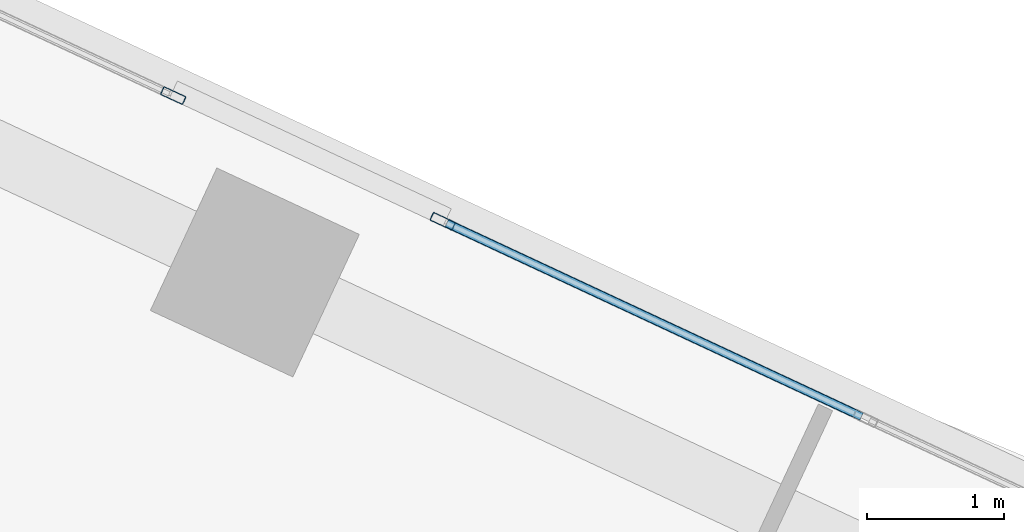
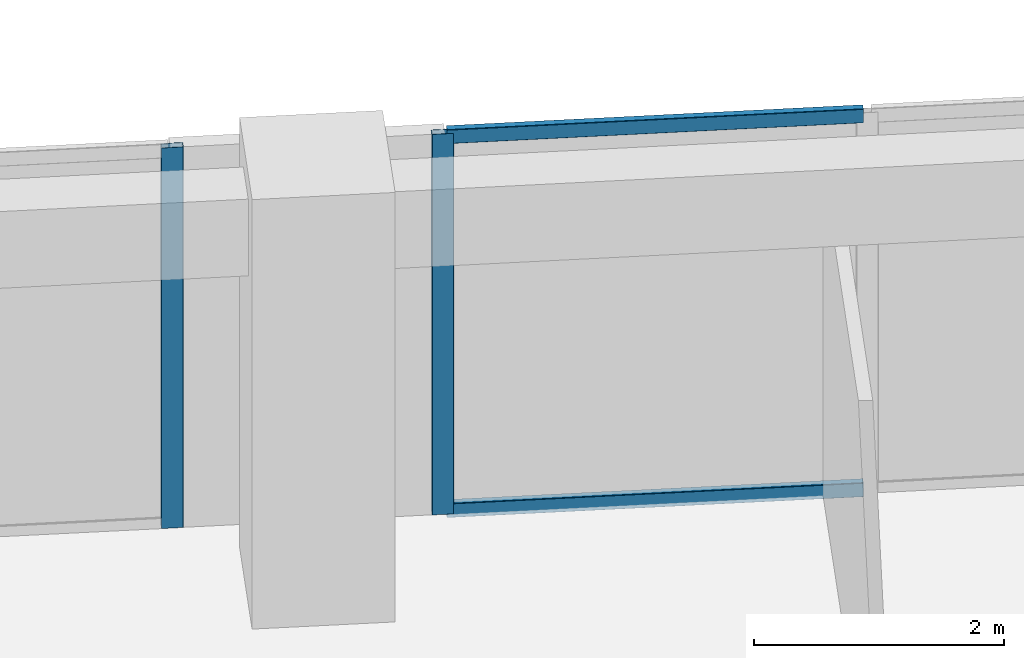
# One storey, part 13 of 23: 4 members, 2 elements without a shape of their own.
"""IFC4 building model written with IfcOpenShell, lengths in metres."""

from ifc_helpers import new_model, si_unit, direction, frame, origin, origin_2d, place, context, subcontext, project, spatial, hollow_rectangle, extrude, source, transform, mapped, material, material_profile, profile_set, type_object, element, aggregate, save


model = new_model("IFC4")

# Units and contexts
model_context = context("Model", 3, precision=1e-05, world=origin(), true_north=direction((0.0, 1.0)))
body_context = subcontext(model_context, "Body", "Model", "MODEL_VIEW")
ifc_project = project(units=[si_unit("LENGTHUNIT", "METRE"), si_unit("AREAUNIT", "SQUARE_METRE"), si_unit("VOLUMEUNIT", "CUBIC_METRE"), si_unit("PLANEANGLEUNIT", "RADIAN"), si_unit("MASSUNIT", "GRAM", prefix="KILO")], contexts=[model_context])

# Site, building, storey
site_placement = place(None, origin())
site = spatial("IfcSite", under=ifc_project, at=site_placement, CompositionType="ELEMENT")
building_placement = place(site_placement, origin())
building = spatial("IfcBuilding", under=site, at=building_placement, Name="Torre Montelarca", CompositionType="ELEMENT")
storey_placement = place(building_placement, frame((0.0, 0.0, 154.0)))
storey = spatial("IfcBuildingStorey", under=building, at=storey_placement, Name="L34", CompositionType="ELEMENT", Elevation=154.0)

# Curtain wall, member
ifc_material_1 = material(Name="Insulated low-E laminated glass", Category="glass")
curtain_wall_type = type_object("IfcCurtainWallType", Name="CW-SYS-Z2", PredefinedType="USERDEFINED", material=ifc_material_1)
curtain_wall_1_placement = place(storey_placement, origin())
curtain_wall_1 = element("IfcCurtainWall", 1, at=curtain_wall_1_placement, inside=storey, type_object=curtain_wall_type, Name="L34 Curtain Wall Run CW-T3-L34-E08-B3", ObjectType="UNITISED GLAZING", PredefinedType="USERDEFINED")
ifc_material_2 = material(Name="Anodised aluminium AA 6063-T6", Category="aluminium")
ifc_material_profile_1 = material_profile(ifc_material_2, hollow_rectangle(XDim=0.06494140625, YDim=0.179931640625, WallThickness=0.00390625, InnerFilletRadius=0.00390625, OuterFilletRadius=0.008056640625, at=origin_2d()), Name="ALU65X180X4", Category="aluminium")
ifc_profile_set_1 = profile_set([ifc_material_profile_1], Name="Anodised aluminium AA 6063-T6")
member_type_1 = type_object("IfcMemberType", Name="CWM-ALU180", PredefinedType="MULLION", material=ifc_profile_set_1)
shared_shape_1 = source(origin(), body_context, "Body", "SweptSolid", [
    extrude(hollow_rectangle(XDim=0.06494140625, YDim=0.179931640625, WallThickness=0.00390625, InnerFilletRadius=0.00390625, OuterFilletRadius=0.008056640625, at=origin_2d()), origin(), (0.0, 0.0, 1.0), 3.719970703125),
])
member_1_placement = place(storey_placement, frame((26.10498046875, 47.583984375, 0.0), z_axis=(0.0, 0.0, 1.0), x_axis=(-0.422616885917, -0.906308428592, 0.0)))
member_1 = element("IfcMember", 2, at=member_1_placement, type_object=member_type_1, Name="CW mullion 3", PredefinedType="MULLION", context=body_context, shape_type="MappedRepresentation", body=[
    mapped(shared_shape_1, transform((0.0, 0.0, 0.0), scale=1.0)),
])

curtain_wall_2_placement = place(storey_placement, origin())
curtain_wall_2 = element("IfcCurtainWall", 3, at=curtain_wall_2_placement, inside=storey, type_object=curtain_wall_type, Name="L34 Curtain Wall Run CW-T3-L34-E08-B4", ObjectType="UNITISED GLAZING", PredefinedType="USERDEFINED")
member_2_placement = place(storey_placement, frame((24.1337890625, 48.503173828125, 0.0), z_axis=(0.0, 0.0, 1.0), x_axis=(-0.422605767873, -0.906313612918, 0.0)))
member_2 = element("IfcMember", 4, at=member_2_placement, type_object=member_type_1, Name="CW mullion 1", PredefinedType="MULLION", context=body_context, shape_type="MappedRepresentation", body=[
    mapped(shared_shape_1, transform((0.0, 0.0, 0.0), scale=1.0)),
])
aggregate(curtain_wall_2, [member_2])

# Member
ifc_material_profile_2 = material_profile(ifc_material_2, hollow_rectangle(XDim=0.06494140625, YDim=0.139892578125, WallThickness=0.00390625, InnerFilletRadius=0.00390625, OuterFilletRadius=0.008056640625, at=origin_2d()), Name="ALU65X140X4", Category="aluminium")
ifc_profile_set_2 = profile_set([ifc_material_profile_2], Name="Anodised aluminium AA 6063-T6")
member_type_2 = type_object("IfcMemberType", Name="CWT-ALU140", PredefinedType="USERDEFINED", material=ifc_profile_set_2)
shared_shape_2 = source(origin(), body_context, "Body", "SweptSolid", [
    extrude(hollow_rectangle(XDim=0.06494140625, YDim=0.139892578125, WallThickness=0.00390625, InnerFilletRadius=0.00390625, OuterFilletRadius=0.008056640625, at=origin_2d()), origin(), (0.0, 0.0, 1.0), 3.347412109375),
])
member_3_placement = place(storey_placement, frame((29.16845703125, 46.155517578125, 0.032470703125), z_axis=(-0.906330280678, 0.42257002062, 0.0), x_axis=(-0.42257002062, -0.906330280678, 0.0)))
member_3 = element("IfcMember", 5, at=member_3_placement, type_object=member_type_2, Name="CW transom 2.1", ObjectType="TRANSOM", PredefinedType="USERDEFINED", context=body_context, shape_type="MappedRepresentation", body=[
    mapped(shared_shape_2, transform((0.0, 0.0, 0.0), scale=1.0)),
])

member_4_placement = place(storey_placement, frame((29.16845703125, 46.155517578125, 3.6875), z_axis=(-0.906330280678, 0.42257002062, 0.0), x_axis=(-0.42257002062, -0.906330280678, 0.0)))
member_4 = element("IfcMember", 6, at=member_4_placement, type_object=member_type_2, Name="CW transom 2.2", ObjectType="TRANSOM", PredefinedType="USERDEFINED", context=body_context, shape_type="MappedRepresentation", body=[
    mapped(shared_shape_2, transform((0.0, 0.0, 0.0), scale=1.0)),
])

aggregate(curtain_wall_1, [member_1, member_3, member_4])

save(model, "model.ifc")
